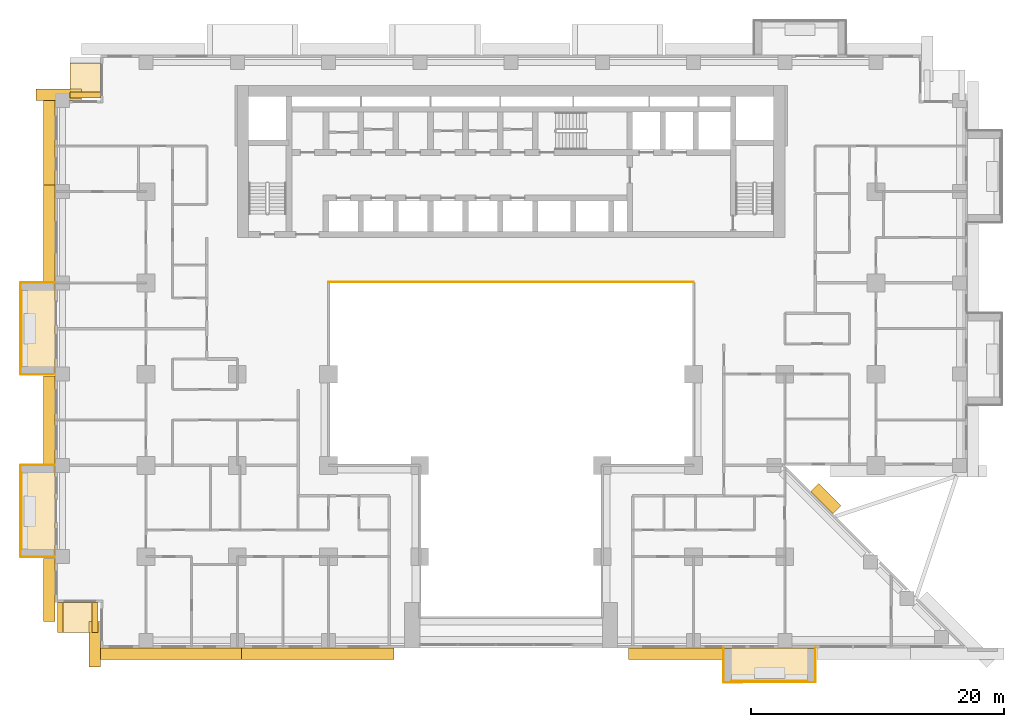
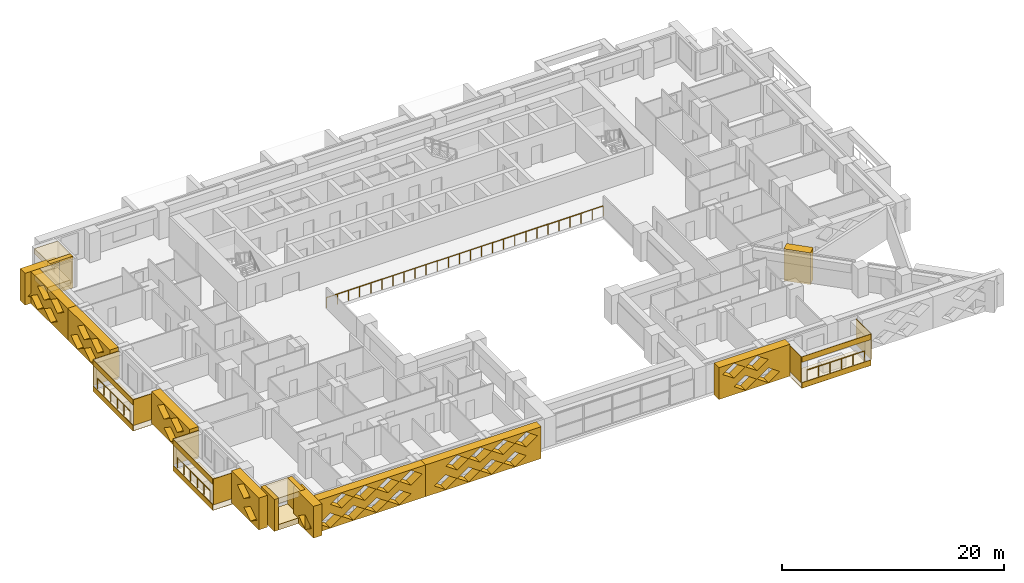
# One storey, part 13 of 16: 32 coverings, 4 railings.
"""IFC4 building model written with IfcOpenShell, lengths in metres."""

from ifc_helpers import new_model, si_unit, direction, frame, origin, origin_2d, place, context, subcontext, project, spatial, polyline, circle, outline, extrude, material, layer, layer_set, type_object, element, save


model = new_model("IFC4")

# Units and contexts
model_context = context("Model", 3, precision=1e-05, world=origin(), true_north=direction((0.0, 1.0)))
body_context = subcontext(model_context, "Body", "Model", "MODEL_VIEW")
ifc_project = project(units=[si_unit("LENGTHUNIT", "METRE"), si_unit("AREAUNIT", "SQUARE_METRE"), si_unit("VOLUMEUNIT", "CUBIC_METRE"), si_unit("PLANEANGLEUNIT", "RADIAN"), si_unit("MASSUNIT", "GRAM", prefix="KILO")], contexts=[model_context])

# Site, building, storey
site_placement = place(None, origin())
site = spatial("IfcSite", under=ifc_project, at=site_placement, CompositionType="ELEMENT")
building_placement = place(site_placement, origin())
building = spatial("IfcBuilding", under=site, at=building_placement, Name="Saffron Iwan Residences", CompositionType="ELEMENT")
storey_placement = place(building_placement, frame((0.0, 0.0, 48.0)))
storey = spatial("IfcBuildingStorey", under=building, at=storey_placement, Name="L11", CompositionType="ELEMENT", Elevation=48.0)

# Railings
ifc_material_1 = material(Name="Stainless steel 316", Category="steel")
railing_type_1 = type_object("IfcRailingType", Name="Atrium guard 1150", PredefinedType="GUARDRAIL", material=ifc_material_1)
railing_1_placement = place(storey_placement, frame((36.0, 62.47509765625, 0.0)))
element("IfcRailing", 1, at=railing_1_placement, inside=storey, type_object=railing_type_1, Name="Atrium guard L11", PredefinedType="GUARDRAIL", context=body_context, shape_type="SweptSolid", body=[
    extrude(circle(Radius=0.02392578125, at=origin_2d()), frame((0.0, 0.0, 1.1259765625), z_axis=(1.0, 0.0, 0.0), x_axis=(0.0, 1.0, 0.0)), (0.0, 0.0, 1.0), 28.800048828125),
    extrude(circle(Radius=0.02099609375, at=origin_2d()), origin(), (0.0, 0.0, 1.0), 1.101806640625),
    extrude(circle(Radius=0.02099609375, at=origin_2d()), frame((1.152099609375, 0.0, 0.0)), (0.0, 0.0, 1.0), 1.101806640625),
    extrude(circle(Radius=0.02099609375, at=origin_2d()), frame((2.303955078125, 0.0, 0.0)), (0.0, 0.0, 1.0), 1.101806640625),
    extrude(circle(Radius=0.02099609375, at=origin_2d()), frame((3.4560546875, 0.0, 0.0)), (0.0, 0.0, 1.0), 1.101806640625),
    extrude(circle(Radius=0.02099609375, at=origin_2d()), frame((4.60791015625, 0.0, 0.0)), (0.0, 0.0, 1.0), 1.101806640625),
    extrude(circle(Radius=0.02099609375, at=origin_2d()), frame((5.760009765625, 0.0, 0.0)), (0.0, 0.0, 1.0), 1.101806640625),
    extrude(circle(Radius=0.02099609375, at=origin_2d()), frame((6.912109375, 0.0, 0.0)), (0.0, 0.0, 1.0), 1.101806640625),
    extrude(circle(Radius=0.02099609375, at=origin_2d()), frame((8.06396484375, 0.0, 0.0)), (0.0, 0.0, 1.0), 1.101806640625),
    extrude(circle(Radius=0.02099609375, at=origin_2d()), frame((9.216064453125, 0.0, 0.0)), (0.0, 0.0, 1.0), 1.101806640625),
    extrude(circle(Radius=0.02099609375, at=origin_2d()), frame((10.367919921875, 0.0, 0.0)), (0.0, 0.0, 1.0), 1.101806640625),
    extrude(circle(Radius=0.02099609375, at=origin_2d()), frame((11.52001953125, 0.0, 0.0)), (0.0, 0.0, 1.0), 1.101806640625),
    extrude(circle(Radius=0.02099609375, at=origin_2d()), frame((12.672119140625, 0.0, 0.0)), (0.0, 0.0, 1.0), 1.101806640625),
    extrude(circle(Radius=0.02099609375, at=origin_2d()), frame((13.823974609375, 0.0, 0.0)), (0.0, 0.0, 1.0), 1.101806640625),
    extrude(circle(Radius=0.02099609375, at=origin_2d()), frame((14.97607421875, 0.0, 0.0)), (0.0, 0.0, 1.0), 1.101806640625),
    extrude(circle(Radius=0.02099609375, at=origin_2d()), frame((16.1279296875, 0.0, 0.0)), (0.0, 0.0, 1.0), 1.101806640625),
    extrude(circle(Radius=0.02099609375, at=origin_2d()), frame((17.280029296875, 0.0, 0.0)), (0.0, 0.0, 1.0), 1.101806640625),
    extrude(circle(Radius=0.02099609375, at=origin_2d()), frame((18.43212890625, 0.0, 0.0)), (0.0, 0.0, 1.0), 1.101806640625),
    extrude(circle(Radius=0.02099609375, at=origin_2d()), frame((19.583984375, 0.0, 0.0)), (0.0, 0.0, 1.0), 1.101806640625),
    extrude(circle(Radius=0.02099609375, at=origin_2d()), frame((20.736083984375, 0.0, 0.0)), (0.0, 0.0, 1.0), 1.101806640625),
    extrude(circle(Radius=0.02099609375, at=origin_2d()), frame((21.887939453125, 0.0, 0.0)), (0.0, 0.0, 1.0), 1.101806640625),
    extrude(circle(Radius=0.02099609375, at=origin_2d()), frame((23.0400390625, 0.0, 0.0)), (0.0, 0.0, 1.0), 1.101806640625),
    extrude(circle(Radius=0.02099609375, at=origin_2d()), frame((24.192138671875, 0.0, 0.0)), (0.0, 0.0, 1.0), 1.101806640625),
    extrude(circle(Radius=0.02099609375, at=origin_2d()), frame((25.343994140625, 0.0, 0.0)), (0.0, 0.0, 1.0), 1.101806640625),
    extrude(circle(Radius=0.02099609375, at=origin_2d()), frame((26.49609375, 0.0, 0.0)), (0.0, 0.0, 1.0), 1.101806640625),
    extrude(circle(Radius=0.02099609375, at=origin_2d()), frame((27.64794921875, 0.0, 0.0)), (0.0, 0.0, 1.0), 1.101806640625),
    extrude(circle(Radius=0.02099609375, at=origin_2d()), frame((28.800048828125, 0.0, 0.0)), (0.0, 0.0, 1.0), 1.101806640625),
])
railing_type_2 = type_object("IfcRailingType", Name="BALCONY GUARD 1150", PredefinedType="GUARDRAIL", material=ifc_material_1)
for number, where, name in (
    (2, (11.77490234375, 61.800048828125, 0.0), "Balcony guard L11 F8-0"),
    (3, (11.77490234375, 47.39990234375, 0.0), "Balcony guard L11 F8-1"),
):
    element("IfcRailing", number, at=place(storey_placement, frame(where)), inside=storey, type_object=railing_type_2, Name=name, PredefinedType="GUARDRAIL", context=body_context, shape_type="SweptSolid", body=[
        extrude(circle(Radius=0.02392578125, at=origin_2d()), frame((0.0, 0.0, 1.1259765625), z_axis=(0.0, -1.0, 0.0), x_axis=(1.0, 0.0, 0.0)), (0.0, 0.0, 1.0), 6.0),
        extrude(circle(Radius=0.02099609375, at=origin_2d()), origin(), (0.0, 0.0, 1.0), 1.101806640625),
        extrude(circle(Radius=0.02099609375, at=origin_2d()), frame((0.0, -1.199951171875, 0.0)), (0.0, 0.0, 1.0), 1.101806640625),
        extrude(circle(Radius=0.02099609375, at=origin_2d()), frame((0.0, -2.39990234375, 0.0)), (0.0, 0.0, 1.0), 1.101806640625),
        extrude(circle(Radius=0.02099609375, at=origin_2d()), frame((0.0, -3.60009765625, 0.0)), (0.0, 0.0, 1.0), 1.101806640625),
        extrude(circle(Radius=0.02099609375, at=origin_2d()), frame((0.0, -4.800048828125, 0.0)), (0.0, 0.0, 1.0), 1.101806640625),
        extrude(circle(Radius=0.02099609375, at=origin_2d()), frame((0.0, -6.0, 0.0)), (0.0, 0.0, 1.0), 1.101806640625),
    ])
railing_2_placement = place(storey_placement, frame((67.800048828125, 30.97509765625, 0.0)))
element("IfcRailing", 4, at=railing_2_placement, inside=storey, type_object=railing_type_2, Name="Balcony guard L11 11-1", PredefinedType="GUARDRAIL", context=body_context, shape_type="SweptSolid", body=[
    extrude(circle(Radius=0.02392578125, at=origin_2d()), frame((0.0, 0.0, 1.1259765625), z_axis=(1.0, 0.0, 0.0), x_axis=(0.0, 1.0, 0.0)), (0.0, 0.0, 1.0), 6.0),
    extrude(circle(Radius=0.02099609375, at=origin_2d()), origin(), (0.0, 0.0, 1.0), 1.101806640625),
    extrude(circle(Radius=0.02099609375, at=origin_2d()), frame((1.199951171875, 0.0, 0.0)), (0.0, 0.0, 1.0), 1.101806640625),
    extrude(circle(Radius=0.02099609375, at=origin_2d()), frame((2.39990234375, 0.0, 0.0)), (0.0, 0.0, 1.0), 1.101806640625),
    extrude(circle(Radius=0.02099609375, at=origin_2d()), frame((3.60009765625, 0.0, 0.0)), (0.0, 0.0, 1.0), 1.101806640625),
    extrude(circle(Radius=0.02099609375, at=origin_2d()), frame((4.800048828125, 0.0, 0.0)), (0.0, 0.0, 1.0), 1.101806640625),
    extrude(circle(Radius=0.02099609375, at=origin_2d()), frame((6.0, 0.0, 0.0)), (0.0, 0.0, 1.0), 1.101806640625),
])

# Coverings
ifc_material_2 = material(Name="Precast concrete C40/50 white painted", Category="concrete")
ifc_layer = layer(ifc_material_2, 0.050048828125)
ifc_layer_set = layer_set([ifc_layer], Name="Precast concrete C40/50 white painted")
covering_type_1 = type_object("IfcCoveringType", Name="FRAME SKIN PRECAST WHITE 50", PredefinedType="CLADDING", material=ifc_layer_set)
for number, where, name in (
    (5, (0.0, 0.0, -0.60009765625), "Frame skin slab edge L11 F8-0"),
    (6, (0.0, 0.0, 2.25), "Frame skin fascia L11 F8-0"),
):
    element("IfcCovering", number, at=place(storey_placement, frame(where)), inside=storey, type_object=covering_type_1, Name=name, PredefinedType="CLADDING", context=body_context, shape_type="SweptSolid", body=[
        extrude(outline(polyline([(11.64990234375, 62.39990234375), (11.64990234375, 55.199951171875), (11.699951171875, 55.199951171875), (11.699951171875, 62.39990234375), (11.64990234375, 62.39990234375)])), origin(), (0.0, 0.0, 1.0), 0.60009765625),
    ])
covering_1_placement = place(storey_placement, frame((0.0, 0.0, -0.64990234375)))
element("IfcCovering", 7, at=covering_1_placement, inside=storey, type_object=covering_type_1, Name="Frame skin soffit L11 F8-0", PredefinedType="CLADDING", context=body_context, shape_type="SweptSolid", body=[
    extrude(outline(polyline([(11.699951171875, 62.39990234375), (11.699951171875, 55.199951171875), (14.39990234375, 55.199951171875), (14.39990234375, 62.39990234375), (11.699951171875, 62.39990234375)])), origin(), (0.0, 0.0, 1.0), 0.0498046875),
])
covering_2_placement = place(storey_placement, origin())
element("IfcCovering", 8, at=covering_2_placement, inside=storey, type_object=covering_type_1, Name="Frame skin fin L11 F8-0a", PredefinedType="CLADDING", context=body_context, shape_type="SweptSolid", body=[
    extrude(outline(polyline([(11.699951171875, 62.449951171875), (11.699951171875, 62.39990234375), (14.39990234375, 62.39990234375), (14.39990234375, 62.449951171875), (11.699951171875, 62.449951171875)])), origin(), (0.0, 0.0, 1.0), 2.85009765625),
])
covering_3_placement = place(storey_placement, origin())
element("IfcCovering", 9, at=covering_3_placement, inside=storey, type_object=covering_type_1, Name="Frame skin fin L11 F8-0b", PredefinedType="CLADDING", context=body_context, shape_type="SweptSolid", body=[
    extrude(outline(polyline([(11.699951171875, 55.199951171875), (11.699951171875, 55.14990234375), (14.39990234375, 55.14990234375), (14.39990234375, 55.199951171875), (11.699951171875, 55.199951171875)])), origin(), (0.0, 0.0, 1.0), 2.85009765625),
])
for number, where, name in (
    (10, (0.0, 0.0, -0.60009765625), "Frame skin slab edge L11 F8-1"),
    (11, (0.0, 0.0, 2.25), "Frame skin fascia L11 F8-1"),
):
    element("IfcCovering", number, at=place(storey_placement, frame(where)), inside=storey, type_object=covering_type_1, Name=name, PredefinedType="CLADDING", context=body_context, shape_type="SweptSolid", body=[
        extrude(outline(polyline([(11.64990234375, 48.0), (11.64990234375, 40.800048828125), (11.699951171875, 40.800048828125), (11.699951171875, 48.0), (11.64990234375, 48.0)])), origin(), (0.0, 0.0, 1.0), 0.60009765625),
    ])
covering_4_placement = place(storey_placement, frame((0.0, 0.0, -0.64990234375)))
element("IfcCovering", 12, at=covering_4_placement, inside=storey, type_object=covering_type_1, Name="Frame skin soffit L11 F8-1", PredefinedType="CLADDING", context=body_context, shape_type="SweptSolid", body=[
    extrude(outline(polyline([(11.699951171875, 48.0), (11.699951171875, 40.800048828125), (14.39990234375, 40.800048828125), (14.39990234375, 48.0), (11.699951171875, 48.0)])), origin(), (0.0, 0.0, 1.0), 0.0498046875),
])
covering_5_placement = place(storey_placement, origin())
element("IfcCovering", 13, at=covering_5_placement, inside=storey, type_object=covering_type_1, Name="Frame skin fin L11 F8-1a", PredefinedType="CLADDING", context=body_context, shape_type="SweptSolid", body=[
    extrude(outline(polyline([(11.699951171875, 48.050048828125), (11.699951171875, 48.0), (14.39990234375, 48.0), (14.39990234375, 48.050048828125), (11.699951171875, 48.050048828125)])), origin(), (0.0, 0.0, 1.0), 2.85009765625),
])
covering_6_placement = place(storey_placement, origin())
element("IfcCovering", 14, at=covering_6_placement, inside=storey, type_object=covering_type_1, Name="Frame skin fin L11 F8-1b", PredefinedType="CLADDING", context=body_context, shape_type="SweptSolid", body=[
    extrude(outline(polyline([(11.699951171875, 40.800048828125), (11.699951171875, 40.75), (14.39990234375, 40.75), (14.39990234375, 40.800048828125), (11.699951171875, 40.800048828125)])), origin(), (0.0, 0.0, 1.0), 2.85009765625),
])
for number, where, name in (
    (15, (0.0, 0.0, -0.60009765625), "Frame skin slab edge L11 11-1"),
    (16, (0.0, 0.0, 2.25), "Frame skin fascia L11 11-1"),
):
    element("IfcCovering", number, at=place(storey_placement, frame(where)), inside=storey, type_object=covering_type_1, Name=name, PredefinedType="CLADDING", context=body_context, shape_type="SweptSolid", body=[
        extrude(outline(polyline([(67.199951171875, 30.85009765625), (74.39990234375, 30.85009765625), (74.39990234375, 30.89990234375), (67.199951171875, 30.89990234375), (67.199951171875, 30.85009765625)])), origin(), (0.0, 0.0, 1.0), 0.60009765625),
    ])
covering_7_placement = place(storey_placement, frame((0.0, 0.0, -0.64990234375)))
element("IfcCovering", 17, at=covering_7_placement, inside=storey, type_object=covering_type_1, Name="Frame skin soffit L11 11-1", PredefinedType="CLADDING", context=body_context, shape_type="SweptSolid", body=[
    extrude(outline(polyline([(67.199951171875, 30.89990234375), (74.39990234375, 30.89990234375), (74.39990234375, 33.60009765625), (67.199951171875, 33.60009765625), (67.199951171875, 30.89990234375)])), origin(), (0.0, 0.0, 1.0), 0.0498046875),
])
covering_8_placement = place(storey_placement, origin())
element("IfcCovering", 18, at=covering_8_placement, inside=storey, type_object=covering_type_1, Name="Frame skin fin L11 11-1a", PredefinedType="CLADDING", context=body_context, shape_type="SweptSolid", body=[
    extrude(outline(polyline([(67.14990234375, 30.89990234375), (67.199951171875, 30.89990234375), (67.199951171875, 33.60009765625), (67.14990234375, 33.60009765625), (67.14990234375, 30.89990234375)])), origin(), (0.0, 0.0, 1.0), 2.85009765625),
])
covering_9_placement = place(storey_placement, origin())
element("IfcCovering", 19, at=covering_9_placement, inside=storey, type_object=covering_type_1, Name="Frame skin fin L11 11-1b", PredefinedType="CLADDING", context=body_context, shape_type="SweptSolid", body=[
    extrude(outline(polyline([(74.39990234375, 30.89990234375), (74.449951171875, 30.89990234375), (74.449951171875, 33.60009765625), (74.39990234375, 33.60009765625), (74.39990234375, 30.89990234375)])), origin(), (0.0, 0.0, 1.0), 2.85009765625),
])
ifc_material_3 = material(Name="Precast concrete C40/50", Category="concrete")
covering_type_2 = type_object("IfcCoveringType", Name="OUTER SKIN LATTICE SCREEN", PredefinedType="CLADDING", material=ifc_material_3)
covering_10_placement = place(storey_placement, frame((75.805908203125, 44.194091796875, -0.320068359375), z_axis=(0.707106781187, 0.707106781187, 0.0), x_axis=(-0.707106781187, 0.707106781187, 0.0)))
element("IfcCovering", 20, at=covering_10_placement, inside=storey, type_object=covering_type_2, Name="OUTER SKIN lattice screen L11 F0.1", PredefinedType="CLADDING", context=body_context, shape_type="SweptSolid", body=[
    extrude(outline(polyline([(0.0, 0.0), (2.4853515625, 0.0), (2.4853515625, 3.5), (0.0, 3.5), (0.0, 0.0)])), origin(), (0.0, 0.0, 1.0), 0.900146484375),
])
covering_11_placement = place(storey_placement, frame((16.5, 76.800048828125, -0.320068359375), z_axis=(0.0, 1.0, 0.0), x_axis=(-1.0, 0.0, 0.0)))
element("IfcCovering", 21, at=covering_11_placement, inside=storey, type_object=covering_type_2, Name="OUTER SKIN lattice screen L11 F7.0", PredefinedType="CLADDING", context=body_context, shape_type="SweptSolid", body=[
    extrude(outline(polyline([(0.0, 0.0), (3.60009765625, 0.0), (3.60009765625, 3.5), (0.0, 3.5), (0.0, 0.0)]), holes=[polyline([(0.919921875, 0.875), (2.10009765625, 0.06005859375), (3.280029296875, 0.875), (2.10009765625, 1.68994140625), (0.919921875, 0.875)])]), origin(), (0.0, 0.0, 1.0), 0.89990234375),
])
covering_12_placement = place(storey_placement, frame((14.39990234375, 77.699951171875, -0.320068359375), z_axis=(-1.0, 0.0, 0.0), x_axis=(0.0, -1.0, 0.0)))
element("IfcCovering", 22, at=covering_12_placement, inside=storey, type_object=covering_type_2, Name="OUTER SKIN lattice screen L11 F8.0", PredefinedType="CLADDING", context=body_context, shape_type="SweptSolid", body=[
    extrude(outline(polyline([(0.0, 0.0), (7.574951171875, 0.0), (7.574951171875, 3.5), (0.0, 3.5), (0.0, 0.0)]), holes=[polyline([(0.919921875, 0.875), (2.10009765625, 0.06005859375), (3.280029296875, 0.875), (2.10009765625, 1.68994140625), (0.919921875, 0.875)]), polyline([(3.320068359375, 0.875), (4.5, 0.06005859375), (5.679931640625, 0.875), (4.5, 1.68994140625), (3.320068359375, 0.875)]), polyline([(2.1201171875, 2.625), (3.300048828125, 1.81005859375), (4.47998046875, 2.625), (3.300048828125, 3.43994140625), (2.1201171875, 2.625)]), polyline([(4.52001953125, 2.625), (5.699951171875, 1.81005859375), (6.8798828125, 2.625), (5.699951171875, 3.43994140625), (4.52001953125, 2.625)])]), origin(), (0.0, 0.0, 1.0), 0.89990234375),
])
covering_13_placement = place(storey_placement, frame((14.39990234375, 70.125, -0.320068359375), z_axis=(-1.0, 0.0, 0.0), x_axis=(0.0, -1.0, 0.0)))
element("IfcCovering", 23, at=covering_13_placement, inside=storey, type_object=covering_type_2, Name="OUTER SKIN lattice screen L11 F8.1", PredefinedType="CLADDING", context=body_context, shape_type="SweptSolid", body=[
    extrude(outline(polyline([(0.0, 0.0), (7.574951171875, 0.0), (7.574951171875, 3.5), (0.0, 3.5), (0.0, 0.0)]), holes=[polyline([(0.544921875, 0.875), (1.72509765625, 0.06005859375), (2.905029296875, 0.875), (1.72509765625, 1.68994140625), (0.544921875, 0.875)]), polyline([(2.945068359375, 0.875), (4.125, 0.06005859375), (5.304931640625, 0.875), (4.125, 1.68994140625), (2.945068359375, 0.875)]), polyline([(1.7451171875, 2.625), (2.925048828125, 1.81005859375), (4.10498046875, 2.625), (2.925048828125, 3.43994140625), (1.7451171875, 2.625)]), polyline([(4.14501953125, 2.625), (5.324951171875, 1.81005859375), (6.5048828125, 2.625), (5.324951171875, 3.43994140625), (4.14501953125, 2.625)])]), origin(), (0.0, 0.0, 1.0), 0.89990234375),
])
covering_14_placement = place(storey_placement, frame((14.39990234375, 55.050048828125, -0.320068359375), z_axis=(-1.0, 0.0, 0.0), x_axis=(0.0, -1.0, 0.0)))
element("IfcCovering", 24, at=covering_14_placement, inside=storey, type_object=covering_type_2, Name="OUTER SKIN lattice screen L11 F8.2", PredefinedType="CLADDING", context=body_context, shape_type="SweptSolid", body=[
    extrude(outline(polyline([(0.0, 0.0), (6.89990234375, 0.0), (6.89990234375, 3.5), (0.0, 3.5), (0.0, 0.0)]), holes=[polyline([(2.27001953125, 0.875), (3.449951171875, 0.06005859375), (4.6298828125, 0.875), (3.449951171875, 1.68994140625), (2.27001953125, 0.875)]), polyline([(1.070068359375, 2.625), (2.25, 1.81005859375), (3.429931640625, 2.625), (2.25, 3.43994140625), (1.070068359375, 2.625)]), polyline([(3.469970703125, 2.625), (4.64990234375, 1.81005859375), (5.830078125, 2.625), (4.64990234375, 3.43994140625), (3.469970703125, 2.625)])]), origin(), (0.0, 0.0, 1.0), 0.89990234375),
])
covering_15_placement = place(storey_placement, frame((14.39990234375, 40.64990234375, -0.320068359375), z_axis=(-1.0, 0.0, 0.0), x_axis=(0.0, -1.0, 0.0)))
element("IfcCovering", 25, at=covering_15_placement, inside=storey, type_object=covering_type_2, Name="OUTER SKIN lattice screen L11 F8.3", PredefinedType="CLADDING", context=body_context, shape_type="SweptSolid", body=[
    extrude(outline(polyline([(0.0, 0.0), (4.949951171875, 0.0), (4.949951171875, 3.5), (0.0, 3.5), (0.0, 0.0)]), holes=[polyline([(2.27001953125, 0.875), (3.449951171875, 0.06005859375), (4.6298828125, 0.875), (3.449951171875, 1.68994140625), (2.27001953125, 0.875)]), polyline([(1.070068359375, 2.625), (2.25, 1.81005859375), (3.429931640625, 2.625), (2.25, 3.43994140625), (1.070068359375, 2.625)])]), origin(), (0.0, 0.0, 1.0), 0.89990234375),
])
covering_16_placement = place(storey_placement, frame((18.0, 35.699951171875, -0.320068359375), z_axis=(-1.0, 0.0, 0.0), x_axis=(0.0, -1.0, 0.0)))
element("IfcCovering", 26, at=covering_16_placement, inside=storey, type_object=covering_type_2, Name="OUTER SKIN lattice screen L11 F10.0", PredefinedType="CLADDING", context=body_context, shape_type="SweptSolid", body=[
    extrude(outline(polyline([(0.0, 0.0), (3.60009765625, 0.0), (3.60009765625, 3.5), (0.0, 3.5), (0.0, 0.0)]), holes=[polyline([(0.919921875, 0.875), (2.10009765625, 0.06005859375), (3.280029296875, 0.875), (2.10009765625, 1.68994140625), (0.919921875, 0.875)])]), origin(), (0.0, 0.0, 1.0), 0.89990234375),
])
covering_17_placement = place(storey_placement, frame((17.10009765625, 33.60009765625, -0.320068359375), z_axis=(0.0, -1.0, 0.0), x_axis=(1.0, 0.0, 0.0)))
element("IfcCovering", 27, at=covering_17_placement, inside=storey, type_object=covering_type_2, Name="OUTER SKIN lattice screen L11 F11.0", PredefinedType="CLADDING", context=body_context, shape_type="SweptSolid", body=[
    extrude(outline(polyline([(0.0, 0.0), (12.02490234375, 0.0), (12.02490234375, 3.5), (0.0, 3.5), (0.0, 0.0)]), holes=[polyline([(0.919921875, 0.875), (2.10009765625, 0.06005859375), (3.280029296875, 0.875), (2.10009765625, 1.68994140625), (0.919921875, 0.875)]), polyline([(3.320068359375, 0.875), (4.5, 0.06005859375), (5.679931640625, 0.875), (4.5, 1.68994140625), (3.320068359375, 0.875)]), polyline([(5.719970703125, 0.875), (6.89990234375, 0.06005859375), (8.080078125, 0.875), (6.89990234375, 1.68994140625), (5.719970703125, 0.875)]), polyline([(8.1201171875, 0.875), (9.300048828125, 0.06005859375), (10.47998046875, 0.875), (9.300048828125, 1.68994140625), (8.1201171875, 0.875)]), polyline([(2.1201171875, 2.625), (3.300048828125, 1.81005859375), (4.47998046875, 2.625), (3.300048828125, 3.43994140625), (2.1201171875, 2.625)]), polyline([(4.52001953125, 2.625), (5.699951171875, 1.81005859375), (6.8798828125, 2.625), (5.699951171875, 3.43994140625), (4.52001953125, 2.625)]), polyline([(6.919921875, 2.625), (8.10009765625, 1.81005859375), (9.280029296875, 2.625), (8.10009765625, 3.43994140625), (6.919921875, 2.625)]), polyline([(9.320068359375, 2.625), (10.5, 1.81005859375), (11.679931640625, 2.625), (10.5, 3.43994140625), (9.320068359375, 2.625)])]), origin(), (0.0, 0.0, 1.0), 0.900146484375),
])
covering_18_placement = place(storey_placement, frame((29.125, 33.60009765625, -0.320068359375), z_axis=(0.0, -1.0, 0.0), x_axis=(1.0, 0.0, 0.0)))
element("IfcCovering", 28, at=covering_18_placement, inside=storey, type_object=covering_type_2, Name="OUTER SKIN lattice screen L11 F11.1", PredefinedType="CLADDING", context=body_context, shape_type="SweptSolid", body=[
    extrude(outline(polyline([(0.0, 0.0), (12.02490234375, 0.0), (12.02490234375, 3.5), (0.0, 3.5), (0.0, 0.0)]), holes=[polyline([(0.89501953125, 0.875), (2.074951171875, 0.06005859375), (3.2548828125, 0.875), (2.074951171875, 1.68994140625), (0.89501953125, 0.875)]), polyline([(3.294921875, 0.875), (4.47509765625, 0.06005859375), (5.655029296875, 0.875), (4.47509765625, 1.68994140625), (3.294921875, 0.875)]), polyline([(5.695068359375, 0.875), (6.875, 0.06005859375), (8.054931640625, 0.875), (6.875, 1.68994140625), (5.695068359375, 0.875)]), polyline([(8.094970703125, 0.875), (9.27490234375, 0.06005859375), (10.455078125, 0.875), (9.27490234375, 1.68994140625), (8.094970703125, 0.875)]), polyline([(2.094970703125, 2.625), (3.27490234375, 1.81005859375), (4.455078125, 2.625), (3.27490234375, 3.43994140625), (2.094970703125, 2.625)]), polyline([(4.4951171875, 2.625), (5.675048828125, 1.81005859375), (6.85498046875, 2.625), (5.675048828125, 3.43994140625), (4.4951171875, 2.625)]), polyline([(6.89501953125, 2.625), (8.074951171875, 1.81005859375), (9.2548828125, 2.625), (8.074951171875, 3.43994140625), (6.89501953125, 2.625)]), polyline([(9.294921875, 2.625), (10.47509765625, 1.81005859375), (11.655029296875, 2.625), (10.47509765625, 3.43994140625), (9.294921875, 2.625)])]), origin(), (0.0, 0.0, 1.0), 0.900146484375),
])
covering_19_placement = place(storey_placement, frame((59.64990234375, 33.60009765625, -0.320068359375), z_axis=(0.0, -1.0, 0.0), x_axis=(1.0, 0.0, 0.0)))
element("IfcCovering", 29, at=covering_19_placement, inside=storey, type_object=covering_type_2, Name="OUTER SKIN lattice screen L11 F11.2", PredefinedType="CLADDING", context=body_context, shape_type="SweptSolid", body=[
    extrude(outline(polyline([(0.0, 0.0), (7.39990234375, 0.0), (7.39990234375, 3.5), (0.0, 3.5), (0.0, 0.0)]), holes=[polyline([(1.570068359375, 0.875), (2.75, 0.06005859375), (3.929931640625, 0.875), (2.75, 1.68994140625), (1.570068359375, 0.875)]), polyline([(3.969970703125, 0.875), (5.14990234375, 0.06005859375), (6.330078125, 0.875), (5.14990234375, 1.68994140625), (3.969970703125, 0.875)]), polyline([(0.3701171875, 2.625), (1.550048828125, 1.81005859375), (2.72998046875, 2.625), (1.550048828125, 3.43994140625), (0.3701171875, 2.625)]), polyline([(2.77001953125, 2.625), (3.949951171875, 1.81005859375), (5.1298828125, 2.625), (3.949951171875, 3.43994140625), (2.77001953125, 2.625)])]), origin(), (0.0, 0.0, 1.0), 0.900146484375),
])
covering_type_3 = type_object("IfcCoveringType", Name="WHITE SUN FRAME PRECAST", PredefinedType="CLADDING", material=ifc_material_2)
covering_20_placement = place(storey_placement, frame((18.0, 77.449951171875, -0.320068359375), z_axis=(-1.0, 0.0, 0.0), x_axis=(0.0, -1.0, 0.0)))
element("IfcCovering", 30, at=covering_20_placement, inside=storey, type_object=covering_type_3, Name="Sun frame L11 F6 0.2b", PredefinedType="CLADDING", context=body_context, shape_type="SweptSolid", body=[
    extrude(outline(polyline([(0.0, 0.0), (0.449951171875, 0.0), (0.449951171875, 3.5), (0.0, 3.5), (0.0, 0.0)])), origin(), (0.0, 0.0, 1.0), 2.39990234375),
])
for number, where, z_axis, x_axis, name in (
    (31, (18.0, 79.75, 2.580078125), (-1.0, 0.0, 0.0), (0.0, -1.0, 0.0), "Sun frame L11 F6 0.2h"),
    (32, (18.0, 79.75, -0.320068359375), (-1.0, 0.0, 0.0), (0.0, -1.0, 0.0), "Sun frame L11 F6 0.2s"),
):
    element("IfcCovering", number, at=place(storey_placement, frame(where, z_axis=z_axis, x_axis=x_axis)), inside=storey, type_object=covering_type_3, Name=name, PredefinedType="CLADDING", context=body_context, shape_type="SweptSolid", body=[
        extrude(outline(polyline([(0.0, 0.0), (2.300048828125, 0.0), (2.300048828125, 0.60009765625), (0.0, 0.60009765625), (0.0, 0.0)])), origin(), (0.0, 0.0, 1.0), 2.39990234375),
    ])
for number, where, z_axis, x_axis, name in (
    (33, (14.60009765625, 37.199951171875, -0.320068359375), (0.0, -1.0, 0.0), (1.0, 0.0, 0.0), "Sun frame L11 F9 0.2a"),
    (34, (17.35009765625, 37.199951171875, -0.320068359375), (0.0, -1.0, 0.0), (1.0, 0.0, 0.0), "Sun frame L11 F9 0.2b"),
):
    element("IfcCovering", number, at=place(storey_placement, frame(where, z_axis=z_axis, x_axis=x_axis)), inside=storey, type_object=covering_type_3, Name=name, PredefinedType="CLADDING", context=body_context, shape_type="SweptSolid", body=[
        extrude(outline(polyline([(0.0, 0.0), (0.449951171875, 0.0), (0.449951171875, 3.5), (0.0, 3.5), (0.0, 0.0)])), origin(), (0.0, 0.0, 1.0), 2.39990234375),
    ])
for number, where, z_axis, x_axis, name in (
    (35, (15.050048828125, 37.199951171875, 2.580078125), (0.0, -1.0, 0.0), (1.0, 0.0, 0.0), "Sun frame L11 F9 0.2h"),
    (36, (15.050048828125, 37.199951171875, -0.320068359375), (0.0, -1.0, 0.0), (1.0, 0.0, 0.0), "Sun frame L11 F9 0.2s"),
):
    element("IfcCovering", number, at=place(storey_placement, frame(where, z_axis=z_axis, x_axis=x_axis)), inside=storey, type_object=covering_type_3, Name=name, PredefinedType="CLADDING", context=body_context, shape_type="SweptSolid", body=[
        extrude(outline(polyline([(0.0, 0.0), (2.300048828125, 0.0), (2.300048828125, 0.60009765625), (0.0, 0.60009765625), (0.0, 0.0)])), origin(), (0.0, 0.0, 1.0), 2.39990234375),
    ])

save(model, "model.ifc")
